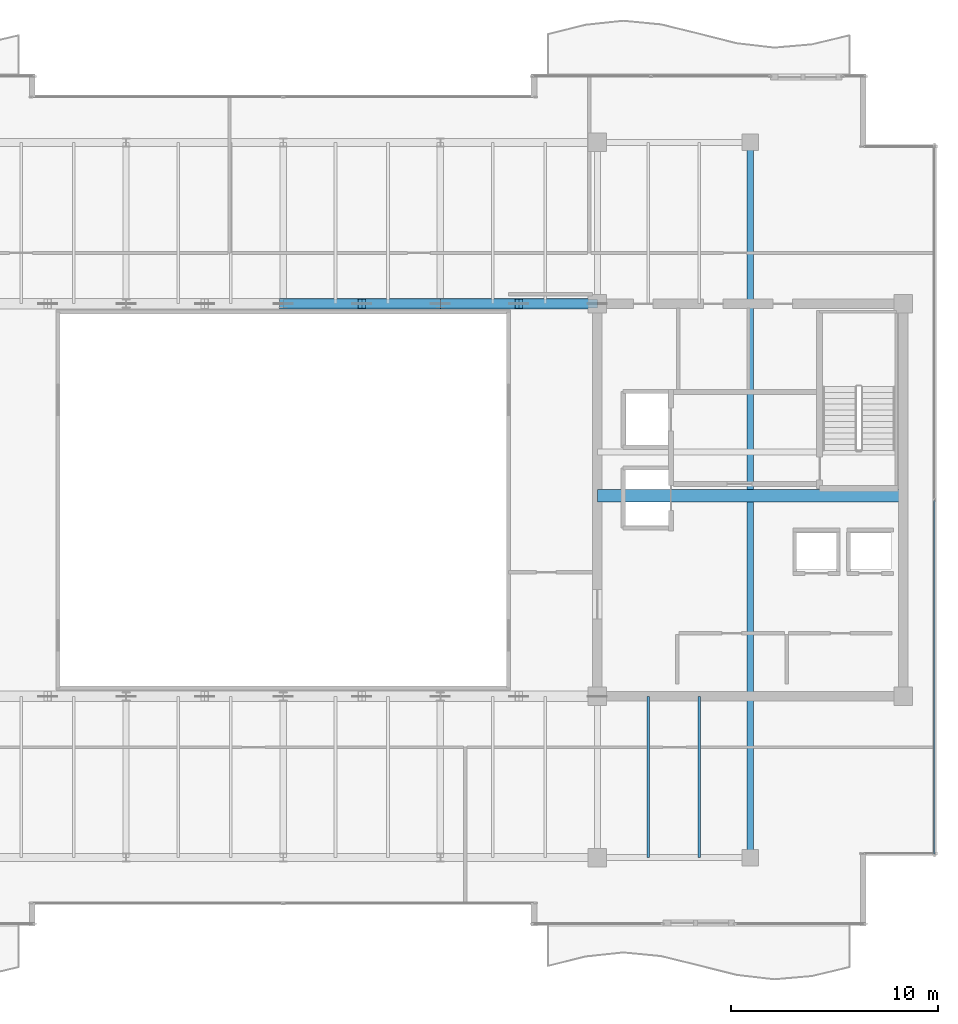
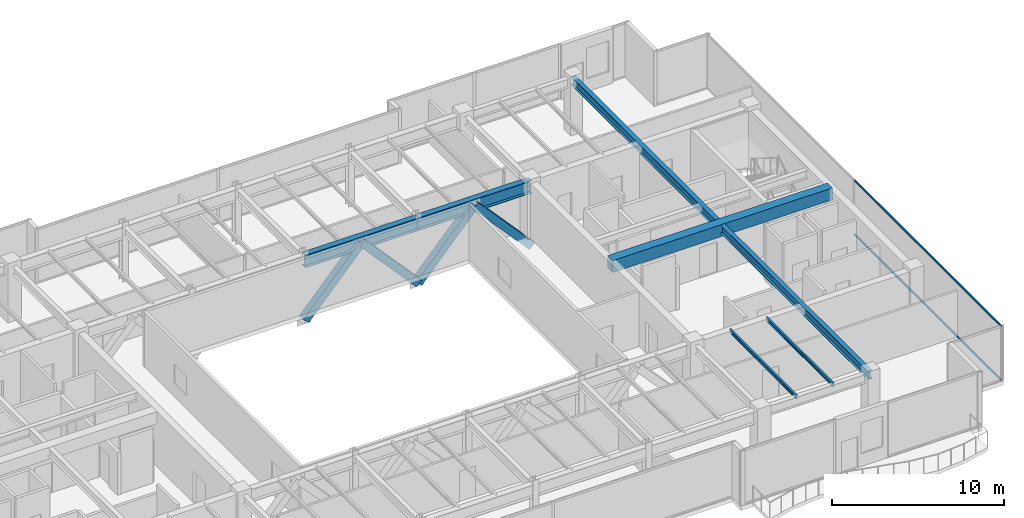
# One storey, part 13 of 31: 6 beams, 6 members, 1 element without a shape of its own.
"""IFC4 building model written with IfcOpenShell, lengths in metres."""

from ifc_helpers import new_model, si_unit, direction, frame, origin, origin_2d, place, context, subcontext, project, spatial, rectangle, hollow_rectangle, i_section, extrude, source, transform, mapped, material, layer, layer_set, material_profile, profile_set, type_object, type_shapes, element, aggregate, save


model = new_model("IFC4")

# Units and contexts
model_context = context("Model", 3, precision=1e-05, world=origin(), true_north=direction((0.0, 1.0)))
body_context = subcontext(model_context, "Body", "Model", "MODEL_VIEW")
ifc_project = project(units=[si_unit("LENGTHUNIT", "METRE"), si_unit("AREAUNIT", "SQUARE_METRE"), si_unit("VOLUMEUNIT", "CUBIC_METRE"), si_unit("PLANEANGLEUNIT", "RADIAN"), si_unit("MASSUNIT", "GRAM", prefix="KILO")], contexts=[model_context])

# Site, building, storey
site_placement = place(None, origin())
site = spatial("IfcSite", under=ifc_project, at=site_placement, CompositionType="ELEMENT")
building_placement = place(site_placement, origin())
building = spatial("IfcBuilding", under=site, at=building_placement, Name="Haelvirn Gate Laboratories", CompositionType="ELEMENT")
storey_placement = place(building_placement, frame((0.0, 0.0, 310.199951171875)))
storey = spatial("IfcBuildingStorey", under=building, at=storey_placement, Name="L74", CompositionType="ELEMENT", Elevation=310.199951171875)

# Beams
ifc_material_1 = material(Name="Steel SM420", Category="steel")
ifc_material_profile_1 = material_profile(ifc_material_1, i_section(OverallWidth=0.39990234375, OverallDepth=0.89990234375, WebThickness=0.01904296875, FlangeThickness=0.031982421875, at=origin_2d()), Name="H-900x400x19x32")
ifc_profile_set_1 = profile_set([ifc_material_profile_1], Name="Steel SM420")
beam_type_1 = type_object("IfcBeamType", Name="BM-TG-900", PredefinedType="BEAM", material=ifc_profile_set_1)
shared_shape_1 = source(origin(), body_context, "Body", "SweptSolid", [
    extrude(i_section(OverallWidth=0.39990234375, OverallDepth=0.89990234375, WebThickness=0.01904296875, FlangeThickness=0.031982421875, at=origin_2d()), origin(), (0.0, 0.0, 1.0), 7.60009765625),
])
type_shapes(beam_type_1, [shared_shape_1])
for number, where, z_axis, x_axis, name in (
    (1, (37.39990234375, 33.800048828125, 3.449951171875), (1.0, 0.0, 0.0), (0.0, 1.0, 0.0), "L74 Primary Girder Y33.8 (37.4-45.0)"),
    (2, (45.0, 33.800048828125, 3.449951171875), (1.0, 0.0, 0.0), (0.0, 1.0, 0.0), "L74 Primary Girder Y33.8 (45.0-52.6)"),
):
    element("IfcBeam", number, at=place(storey_placement, frame(where, z_axis=z_axis, x_axis=x_axis)), inside=storey, type_object=beam_type_1, Name=name, PredefinedType="BEAM", context=body_context, shape_type="MappedRepresentation", body=[
        mapped(shared_shape_1, transform((0.0, 0.0, 0.0), scale=1.0)),
    ])
ifc_material_2 = material(Name="Steel SM355", Category="steel")
ifc_material_profile_2 = material_profile(ifc_material_2, i_section(OverallWidth=0.300048828125, OverallDepth=0.587890625, WebThickness=0.011962890625, FlangeThickness=0.02001953125, at=origin_2d()), Name="H-588x300x12x20")
ifc_profile_set_2 = profile_set([ifc_material_profile_2], Name="Steel SM355")
beam_type_2 = type_object("IfcBeamType", Name="BM-G-588", PredefinedType="BEAM", material=ifc_profile_set_2)
shared_shape_2 = source(origin(), body_context, "Body", "SweptSolid", [
    extrude(i_section(OverallWidth=0.300048828125, OverallDepth=0.587890625, WebThickness=0.011962890625, FlangeThickness=0.02001953125, at=origin_2d()), origin(), (0.0, 0.0, 1.0), 34.60009765625),
])
type_shapes(beam_type_2, [shared_shape_2])
beam_1_placement = place(storey_placement, frame((60.0, 7.0, 3.60595703125), z_axis=(0.0, 1.0, 0.0), x_axis=(-1.0, 0.0, 0.0)))
element("IfcBeam", 3, at=beam_1_placement, inside=storey, type_object=beam_type_2, Name="L74 Frame Girder X60.0 (7.0-41.6)", PredefinedType="BEAM", context=body_context, shape_type="MappedRepresentation", body=[
    mapped(shared_shape_2, transform((0.0, 0.0, 0.0), scale=1.0)),
])
ifc_material_3 = material(Name="Concrete C50/60", Category="concrete")
ifc_material_profile_3 = material_profile(ifc_material_3, rectangle(XDim=0.60009765625, YDim=0.85009765625, at=origin_2d()), Name="RCB-600x850")
ifc_profile_set_3 = profile_set([ifc_material_profile_3], Name="Concrete C50/60")
beam_type_3 = type_object("IfcBeamType", Name="BM-RCB-850", PredefinedType="LINTEL", material=ifc_profile_set_3)
shared_shape_3 = source(origin(), body_context, "Body", "SweptSolid", [
    extrude(rectangle(XDim=0.60009765625, YDim=0.85009765625, at=origin_2d()), origin(), (0.0, 0.0, 1.0), 14.7998046875),
])
type_shapes(beam_type_3, [shared_shape_3])
beam_2_placement = place(storey_placement, frame((52.60009765625, 24.5, 3.47509765625), z_axis=(1.0, 0.0, 0.0), x_axis=(0.0, 1.0, 0.0)))
element("IfcBeam", 4, at=beam_2_placement, inside=storey, type_object=beam_type_3, Name="L74 East Core Coupling Beam", PredefinedType="LINTEL", context=body_context, shape_type="MappedRepresentation", body=[
    mapped(shared_shape_3, transform((0.0, 0.0, 0.0), scale=1.0)),
])
ifc_material_profile_4 = material_profile(ifc_material_2, i_section(OverallWidth=0.125, OverallDepth=0.25, WebThickness=0.006103515625, FlangeThickness=0.009033203125, at=origin_2d()), Name="H-250x125x6x9")
ifc_profile_set_4 = profile_set([ifc_material_profile_4], Name="Steel SM355")
beam_type_4 = type_object("IfcBeamType", Name="BM-J-250", PredefinedType="JOIST", material=ifc_profile_set_4)
shared_shape_4 = source(origin(), body_context, "Body", "SweptSolid", [
    extrude(i_section(OverallWidth=0.125, OverallDepth=0.25, WebThickness=0.006103515625, FlangeThickness=0.009033203125, at=origin_2d()), origin(), (0.0, 0.0, 1.0), 7.800048828125),
])
type_shapes(beam_type_4, [shared_shape_4])
for number, where, z_axis, x_axis, name in (
    (5, (55.070068359375, 7.0, 3.775146484375), (0.0, 1.0, 0.0), (-1.0, 0.0, 0.0), "L74 Composite Lab Joist South X55.07"),
    (6, (57.530029296875, 7.0, 3.775146484375), (0.0, 1.0, 0.0), (-1.0, 0.0, 0.0), "L74 Composite Lab Joist South X57.53"),
):
    element("IfcBeam", number, at=place(storey_placement, frame(where, z_axis=z_axis, x_axis=x_axis)), inside=storey, type_object=beam_type_4, Name=name, PredefinedType="JOIST", context=body_context, shape_type="MappedRepresentation", body=[
        mapped(shared_shape_4, transform((0.0, 0.0, 0.0), scale=1.0)),
    ])

# Members
ifc_material_profile_5 = material_profile(ifc_material_1, hollow_rectangle(XDim=0.5, YDim=0.5, WallThickness=0.02197265625, at=origin_2d()), Name="BOX-500x500x22")
ifc_profile_set_5 = profile_set([ifc_material_profile_5], Name="Steel SM420")
member_type_1 = type_object("IfcMemberType", Name="MEM-ARCH-WEB", PredefinedType="BRACE", material=ifc_profile_set_5)
shared_shape_5 = source(origin(), body_context, "Body", "SweptSolid", [
    extrude(hollow_rectangle(XDim=0.5, YDim=0.5, WallThickness=0.02197265625, at=origin_2d()), origin(), (0.0, 0.0, 1.0), 5.663818359375),
])
type_shapes(member_type_1, [shared_shape_5])
for number, where, z_axis, x_axis, name in (
    (7, (37.39990234375, 33.800048828125, -0.75), (0.670922353302, 0.0, 0.741527609628), (0.0, 1.0, 0.0), "L74 Arch Truss Chevron Web Y33.8-3A"),
    (8, (41.199951171875, 33.800048828125, 3.449951171875), (0.670922353302, 0.0, -0.741527609628), (0.0, 1.0, 0.0), "L74 Arch Truss Chevron Web Y33.8-3B"),
    (9, (45.0, 33.800048828125, -0.75), (0.670922353302, 0.0, 0.741527609628), (0.0, 1.0, 0.0), "L74 Arch Truss Chevron Web Y33.8-4A"),
    (10, (48.800048828125, 33.800048828125, 3.449951171875), (0.670922353302, 0.0, -0.741527609628), (0.0, 1.0, 0.0), "L74 Arch Truss Chevron Web Y33.8-4B"),
):
    element("IfcMember", number, at=place(storey_placement, frame(where, z_axis=z_axis, x_axis=x_axis)), inside=storey, type_object=member_type_1, Name=name, PredefinedType="BRACE", context=body_context, shape_type="MappedRepresentation", body=[
        mapped(shared_shape_5, transform((0.0, 0.0, 0.0), scale=1.0)),
    ])

# Curtain wall, members
ifc_material_4 = material(Name="Anodised bronze unitised aluminium & triple low-E glass", Category="aluminium")
ifc_layer = layer(ifc_material_4, 0.176025390625, Name="CW-SYS-4")
ifc_layer_set = layer_set([ifc_layer], Name="Anodised bronze unitised aluminium & triple low-E glass")
curtain_wall_type = type_object("IfcCurtainWallType", Name="CW-SYS-4", PredefinedType="NOTDEFINED", material=ifc_layer_set)
curtain_wall_placement = place(storey_placement, origin())
curtain_wall = element("IfcCurtainWall", 11, at=curtain_wall_placement, inside=storey, type_object=curtain_wall_type, Name="L74 Unitised Curtain Wall CW-L74-P0-E07", PredefinedType="NOTDEFINED")
ifc_material_5 = material(Name="Extruded aluminium 6063-T6 (anodised bronze)", Category="aluminium")
ifc_material_profile_6 = material_profile(ifc_material_5, hollow_rectangle(XDim=0.06494140625, YDim=0.139892578125, WallThickness=0.00390625, at=origin_2d()), Name="CWT-140x65x4")
ifc_profile_set_6 = profile_set([ifc_material_profile_6], Name="Extruded aluminium 6063-T6 (anodised bronze)")
member_type_2 = type_object("IfcMemberType", Name="CWT-T140", PredefinedType="USERDEFINED", material=ifc_profile_set_6)
shared_shape_6 = source(origin(), body_context, "Body", "SweptSolid", [
    extrude(hollow_rectangle(XDim=0.06494140625, YDim=0.139892578125, WallThickness=0.00390625, at=origin_2d()), origin(), (0.0, 0.0, 1.0), 17.094970703125),
])
type_shapes(member_type_2, [shared_shape_6])
member_1_placement = place(storey_placement, frame((68.89990234375, 7.169921875, 0.032470703125), z_axis=(0.0, 1.0, 0.0), x_axis=(-1.0, 0.0, 0.0)))
member_1 = element("IfcMember", 12, at=member_1_placement, type_object=member_type_2, Name="CW4 transom 1.1", ObjectType="TRANSOM", PredefinedType="USERDEFINED", context=body_context, shape_type="MappedRepresentation", body=[
    mapped(shared_shape_6, transform((0.0, 0.0, 0.0), scale=1.0)),
])
member_2_placement = place(storey_placement, frame((68.89990234375, 7.169921875, 3.867431640625), z_axis=(0.0, 1.0, 0.0), x_axis=(-1.0, 0.0, 0.0)))
member_2 = element("IfcMember", 13, at=member_2_placement, type_object=member_type_2, Name="CW4 transom 1.2", ObjectType="TRANSOM", PredefinedType="USERDEFINED", context=body_context, shape_type="MappedRepresentation", body=[
    mapped(shared_shape_6, transform((0.0, 0.0, 0.0), scale=1.0)),
])
aggregate(curtain_wall, [member_1, member_2])

save(model, "model.ifc")
